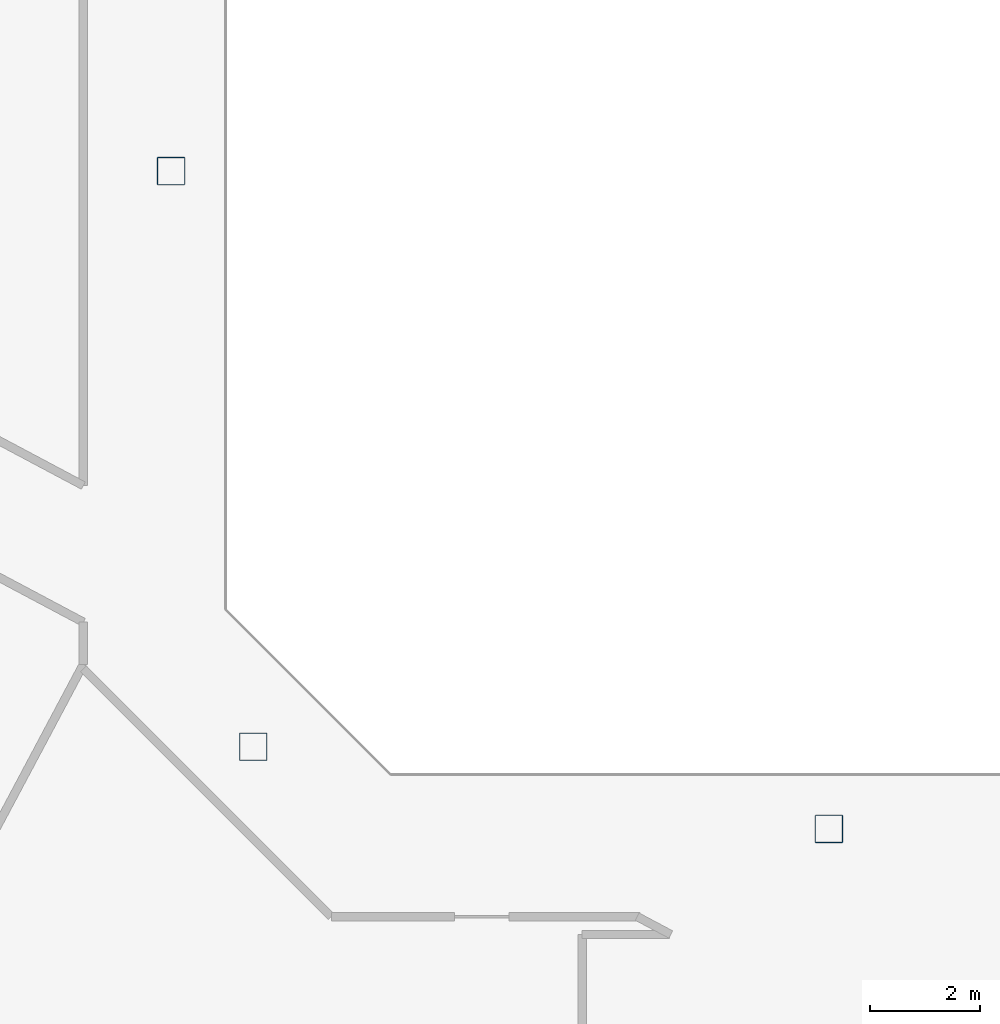
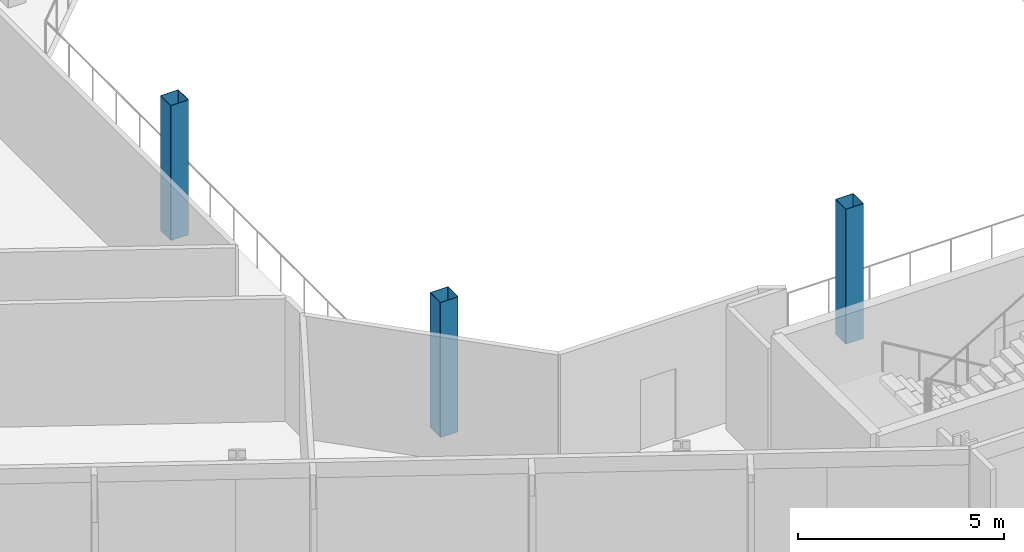
# One storey, part 2 of 28: 3 columns.
"""IFC4 building model written with IfcOpenShell, lengths in metres."""

from ifc_helpers import new_model, si_unit, direction, frame, origin, origin_2d, place, context, subcontext, project, spatial, hollow_rectangle, extrude, material, material_profile, profile_set, type_object, element, save


model = new_model("IFC4")

# Units and contexts
model_context = context("Model", 3, precision=1e-05, world=origin(), true_north=direction((0.0, 1.0)))
body_context = subcontext(model_context, "Body", "Model", "MODEL_VIEW")
ifc_project = project(units=[si_unit("LENGTHUNIT", "METRE"), si_unit("AREAUNIT", "SQUARE_METRE"), si_unit("VOLUMEUNIT", "CUBIC_METRE"), si_unit("PLANEANGLEUNIT", "RADIAN"), si_unit("MASSUNIT", "GRAM", prefix="KILO")], contexts=[model_context])

# Site, building, storey
site_placement = place(None, origin())
site = spatial("IfcSite", under=ifc_project, at=site_placement, CompositionType="ELEMENT")
building_placement = place(site_placement, origin())
building = spatial("IfcBuilding", under=site, at=building_placement, Name="Cormorant Relay Tower", CompositionType="ELEMENT")
storey_placement = place(building_placement, frame((0.0, 0.0, 150.199951171875)))
storey = spatial("IfcBuildingStorey", under=building, at=storey_placement, Name="L31", CompositionType="ELEMENT", Elevation=150.199951171875)

# Columns
ifc_material = material(Name="Steel ASTM A500 Grade C (Fy 345 MPa)", Category="steel")
ifc_material_profile = material_profile(ifc_material, hollow_rectangle(XDim=0.508056640625, YDim=0.508056640625, WallThickness=0.01171875, InnerFilletRadius=0.005859375, OuterFilletRadius=0.017822265625, at=origin_2d()), Name="HSS508x508x12")
ifc_profile_set = profile_set([ifc_material_profile], Name="Steel ASTM A500 Grade C (Fy 345 MPa)")
column_type = type_object("IfcColumnType", Name="Column HSS508x508x12", PredefinedType="COLUMN", material=ifc_profile_set)
for number, where, z_axis, x_axis, name in (
    (1, (0.0, -12.0, 0.0), (0.0, 0.0, 1.0), (1.0, 0.0, 0.0), "Column L31-007"),
    (2, (-10.5, -10.5, 0.0), (0.0, 0.0, 1.0), (1.0, 0.0, 0.0), "Column L31-009"),
    (3, (-12.0, 0.0, 0.0), (0.0, 0.0, 1.0), (1.0, 0.0, 0.0), "Column L31-015"),
):
    element("IfcColumn", number, at=place(storey_placement, frame(where, z_axis=z_axis, x_axis=x_axis)), inside=storey, type_object=column_type, Name=name, PredefinedType="COLUMN", context=body_context, shape_type="SweptSolid", body=[
        extrude(hollow_rectangle(XDim=0.508056640625, YDim=0.508056640625, WallThickness=0.01171875, InnerFilletRadius=0.005859375, OuterFilletRadius=0.017822265625, at=origin_2d()), origin(), (0.0, 0.0, 1.0), 4.0),
    ])

save(model, "model.ifc")
